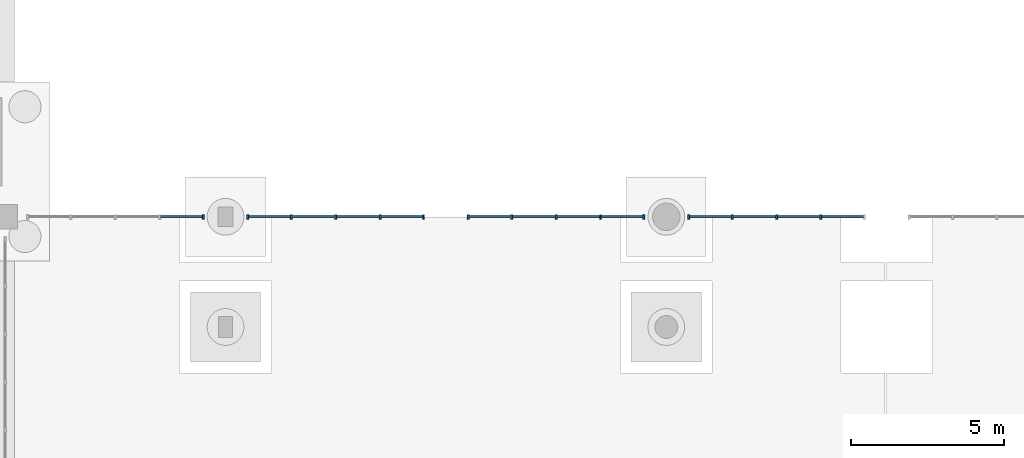
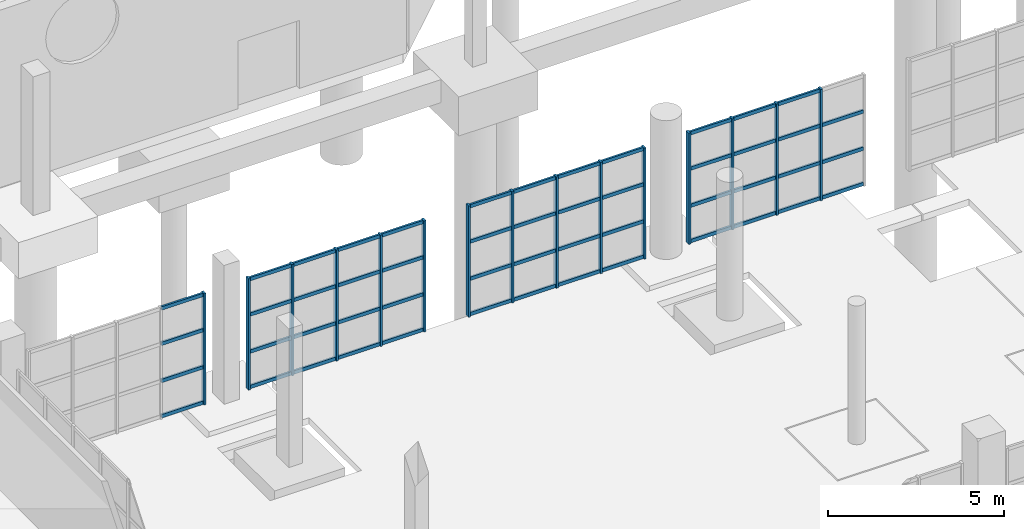
# One storey, part 112 of 285: 66 members, 4 elements without a shape of their own.
"""IFC4 building model written with IfcOpenShell, lengths in metres."""

from ifc_helpers import new_model, si_unit, direction, frame, origin, origin_2d, place, context, subcontext, project, spatial, rectangle, extrude, material, material_profile, profile_set, type_object, element, aggregate, save


model = new_model("IFC4")

# Units and contexts
model_context = context("Model", 3, precision=1e-05, world=origin(), true_north=direction((0.0, 1.0)))
body_context = subcontext(model_context, "Body", "Model", "MODEL_VIEW")
ifc_project = project(units=[si_unit("LENGTHUNIT", "METRE"), si_unit("AREAUNIT", "SQUARE_METRE"), si_unit("VOLUMEUNIT", "CUBIC_METRE"), si_unit("PLANEANGLEUNIT", "RADIAN"), si_unit("MASSUNIT", "GRAM", prefix="KILO")], contexts=[model_context])

# Site, building, storey
site_placement = place(None, origin())
site = spatial("IfcSite", under=ifc_project, at=site_placement, CompositionType="ELEMENT")
building_placement = place(site_placement, origin())
building = spatial("IfcBuilding", under=site, at=building_placement, Name="Solanera Park Tramway Depot", CompositionType="ELEMENT")
storey_placement = place(building_placement, origin())
storey = spatial("IfcBuildingStorey", under=building, at=storey_placement, Name="L00", CompositionType="ELEMENT", Elevation=0.0)

# Curtain wall, member
ifc_material_1 = material(Name="Bronze-anodised thermally broken aluminium curtain wall", Category="aluminium")
curtain_wall_type = type_object("IfcCurtainWallType", Name="Courtyard Cloister Unitised Curtain Wall", PredefinedType="NOTDEFINED", material=ifc_material_1)
curtain_wall_1_placement = place(storey_placement, origin())
curtain_wall_1 = element("IfcCurtainWall", 1, at=curtain_wall_1_placement, inside=storey, type_object=curtain_wall_type, Name="L00 Courtyard Cloister Unitised Curtain Wall #078", PredefinedType="NOTDEFINED")
ifc_material_2 = material(Name="Bronze-anodised structural aluminium 6063-T6", Category="aluminium")
ifc_material_profile_1 = material_profile(ifc_material_2, rectangle(XDim=0.06494140625, YDim=0.14990234375, at=origin_2d()), Name="Curtain Wall Mullion 65x150")
ifc_profile_set_1 = profile_set([ifc_material_profile_1], Name="Bronze-anodised structural aluminium 6063-T6")
member_type_1 = type_object("IfcMemberType", Name="Curtain Wall Mullion 65x150", PredefinedType="MULLION", material=ifc_profile_set_1)
member_1_placement = place(storey_placement, frame((128.867431640625, 43.199951171875, 0.0), z_axis=(0.0, 0.0, 1.0), x_axis=(1.0, 0.0, 0.0)))
member_1 = element("IfcMember", 2, at=member_1_placement, type_object=member_type_1, Name="CW-L00-078 Mullion 1", PredefinedType="MULLION", context=body_context, shape_type="SweptSolid", body=[
    extrude(rectangle(XDim=0.06494140625, YDim=0.14990234375, at=origin_2d()), origin(), (0.0, 0.0, 1.0), 3.85009765625),
])

# Curtain wall, members
curtain_wall_2_placement = place(storey_placement, origin())
curtain_wall_2 = element("IfcCurtainWall", 3, at=curtain_wall_2_placement, inside=storey, type_object=curtain_wall_type, Name="L00 Courtyard Cloister Unitised Curtain Wall #079", PredefinedType="NOTDEFINED")
member_2_placement = place(storey_placement, frame((136.0673828125, 43.199951171875, 0.0), z_axis=(0.0, 0.0, 1.0), x_axis=(1.0, 0.0, 0.0)))
member_2 = element("IfcMember", 4, at=member_2_placement, type_object=member_type_1, Name="CW-L00-079 Mullion 1", PredefinedType="MULLION", context=body_context, shape_type="SweptSolid", body=[
    extrude(rectangle(XDim=0.06494140625, YDim=0.14990234375, at=origin_2d()), origin(), (0.0, 0.0, 1.0), 3.85009765625),
])
member_3_placement = place(storey_placement, frame((134.64990234375, 43.199951171875, 0.0), z_axis=(0.0, 0.0, 1.0), x_axis=(1.0, 0.0, 0.0)))
member_3 = element("IfcMember", 5, at=member_3_placement, type_object=member_type_1, Name="CW-L00-079 Mullion 2", PredefinedType="MULLION", context=body_context, shape_type="SweptSolid", body=[
    extrude(rectangle(XDim=0.06494140625, YDim=0.14990234375, at=origin_2d()), origin(), (0.0, 0.0, 1.0), 3.85009765625),
])
member_4_placement = place(storey_placement, frame((133.199951171875, 43.199951171875, 0.0), z_axis=(0.0, 0.0, 1.0), x_axis=(1.0, 0.0, 0.0)))
member_4 = element("IfcMember", 6, at=member_4_placement, type_object=member_type_1, Name="CW-L00-079 Mullion 3", PredefinedType="MULLION", context=body_context, shape_type="SweptSolid", body=[
    extrude(rectangle(XDim=0.06494140625, YDim=0.14990234375, at=origin_2d()), origin(), (0.0, 0.0, 1.0), 3.85009765625),
])
member_5_placement = place(storey_placement, frame((131.75, 43.199951171875, 0.0), z_axis=(0.0, 0.0, 1.0), x_axis=(1.0, 0.0, 0.0)))
member_5 = element("IfcMember", 7, at=member_5_placement, type_object=member_type_1, Name="CW-L00-079 Mullion 4", PredefinedType="MULLION", context=body_context, shape_type="SweptSolid", body=[
    extrude(rectangle(XDim=0.06494140625, YDim=0.14990234375, at=origin_2d()), origin(), (0.0, 0.0, 1.0), 3.85009765625),
])
member_6_placement = place(storey_placement, frame((130.33251953125, 43.199951171875, 0.0), z_axis=(0.0, 0.0, 1.0), x_axis=(1.0, 0.0, 0.0)))
member_6 = element("IfcMember", 8, at=member_6_placement, type_object=member_type_1, Name="CW-L00-079 Mullion 5", PredefinedType="MULLION", context=body_context, shape_type="SweptSolid", body=[
    extrude(rectangle(XDim=0.06494140625, YDim=0.14990234375, at=origin_2d()), origin(), (0.0, 0.0, 1.0), 3.85009765625),
])

curtain_wall_3_placement = place(storey_placement, origin())
curtain_wall_3 = element("IfcCurtainWall", 9, at=curtain_wall_3_placement, inside=storey, type_object=curtain_wall_type, Name="L00 Courtyard Cloister Unitised Curtain Wall #080", PredefinedType="NOTDEFINED")
member_7_placement = place(storey_placement, frame((143.267578125, 43.199951171875, 0.0), z_axis=(0.0, 0.0, 1.0), x_axis=(1.0, 0.0, 0.0)))
member_7 = element("IfcMember", 10, at=member_7_placement, type_object=member_type_1, Name="CW-L00-080 Mullion 1", PredefinedType="MULLION", context=body_context, shape_type="SweptSolid", body=[
    extrude(rectangle(XDim=0.06494140625, YDim=0.14990234375, at=origin_2d()), origin(), (0.0, 0.0, 1.0), 3.85009765625),
])
member_8_placement = place(storey_placement, frame((141.85009765625, 43.199951171875, 0.0), z_axis=(0.0, 0.0, 1.0), x_axis=(1.0, 0.0, 0.0)))
member_8 = element("IfcMember", 11, at=member_8_placement, type_object=member_type_1, Name="CW-L00-080 Mullion 2", PredefinedType="MULLION", context=body_context, shape_type="SweptSolid", body=[
    extrude(rectangle(XDim=0.06494140625, YDim=0.14990234375, at=origin_2d()), origin(), (0.0, 0.0, 1.0), 3.85009765625),
])
member_9_placement = place(storey_placement, frame((140.39990234375, 43.199951171875, 0.0), z_axis=(0.0, 0.0, 1.0), x_axis=(1.0, 0.0, 0.0)))
member_9 = element("IfcMember", 12, at=member_9_placement, type_object=member_type_1, Name="CW-L00-080 Mullion 3", PredefinedType="MULLION", context=body_context, shape_type="SweptSolid", body=[
    extrude(rectangle(XDim=0.06494140625, YDim=0.14990234375, at=origin_2d()), origin(), (0.0, 0.0, 1.0), 3.85009765625),
])
member_10_placement = place(storey_placement, frame((138.949951171875, 43.199951171875, 0.0), z_axis=(0.0, 0.0, 1.0), x_axis=(1.0, 0.0, 0.0)))
member_10 = element("IfcMember", 13, at=member_10_placement, type_object=member_type_1, Name="CW-L00-080 Mullion 4", PredefinedType="MULLION", context=body_context, shape_type="SweptSolid", body=[
    extrude(rectangle(XDim=0.06494140625, YDim=0.14990234375, at=origin_2d()), origin(), (0.0, 0.0, 1.0), 3.85009765625),
])
member_11_placement = place(storey_placement, frame((137.532470703125, 43.199951171875, 0.0), z_axis=(0.0, 0.0, 1.0), x_axis=(1.0, 0.0, 0.0)))
member_11 = element("IfcMember", 14, at=member_11_placement, type_object=member_type_1, Name="CW-L00-080 Mullion 5", PredefinedType="MULLION", context=body_context, shape_type="SweptSolid", body=[
    extrude(rectangle(XDim=0.06494140625, YDim=0.14990234375, at=origin_2d()), origin(), (0.0, 0.0, 1.0), 3.85009765625),
])

curtain_wall_4_placement = place(storey_placement, origin())
curtain_wall_4 = element("IfcCurtainWall", 15, at=curtain_wall_4_placement, inside=storey, type_object=curtain_wall_type, Name="L00 Courtyard Cloister Unitised Curtain Wall #081", PredefinedType="NOTDEFINED")
member_12_placement = place(storey_placement, frame((149.050048828125, 43.199951171875, 0.0), z_axis=(0.0, 0.0, 1.0), x_axis=(1.0, 0.0, 0.0)))
member_12 = element("IfcMember", 16, at=member_12_placement, type_object=member_type_1, Name="CW-L00-081 Mullion 2", PredefinedType="MULLION", context=body_context, shape_type="SweptSolid", body=[
    extrude(rectangle(XDim=0.06494140625, YDim=0.14990234375, at=origin_2d()), origin(), (0.0, 0.0, 1.0), 3.85009765625),
])
member_13_placement = place(storey_placement, frame((147.60009765625, 43.199951171875, 0.0), z_axis=(0.0, 0.0, 1.0), x_axis=(1.0, 0.0, 0.0)))
member_13 = element("IfcMember", 17, at=member_13_placement, type_object=member_type_1, Name="CW-L00-081 Mullion 3", PredefinedType="MULLION", context=body_context, shape_type="SweptSolid", body=[
    extrude(rectangle(XDim=0.06494140625, YDim=0.14990234375, at=origin_2d()), origin(), (0.0, 0.0, 1.0), 3.85009765625),
])
member_14_placement = place(storey_placement, frame((146.14990234375, 43.199951171875, 0.0), z_axis=(0.0, 0.0, 1.0), x_axis=(1.0, 0.0, 0.0)))
member_14 = element("IfcMember", 18, at=member_14_placement, type_object=member_type_1, Name="CW-L00-081 Mullion 4", PredefinedType="MULLION", context=body_context, shape_type="SweptSolid", body=[
    extrude(rectangle(XDim=0.06494140625, YDim=0.14990234375, at=origin_2d()), origin(), (0.0, 0.0, 1.0), 3.85009765625),
])
member_15_placement = place(storey_placement, frame((144.732421875, 43.199951171875, 0.0), z_axis=(0.0, 0.0, 1.0), x_axis=(1.0, 0.0, 0.0)))
member_15 = element("IfcMember", 19, at=member_15_placement, type_object=member_type_1, Name="CW-L00-081 Mullion 5", PredefinedType="MULLION", context=body_context, shape_type="SweptSolid", body=[
    extrude(rectangle(XDim=0.06494140625, YDim=0.14990234375, at=origin_2d()), origin(), (0.0, 0.0, 1.0), 3.85009765625),
])

# Member
ifc_material_3 = material(Name="Bronze-anodised structural aluminium 6063-T6", Category="aluminium")
ifc_material_profile_2 = material_profile(ifc_material_3, rectangle(XDim=0.06494140625, YDim=0.1201171875, at=origin_2d()), Name="Curtain Wall Transom 65x120")
ifc_profile_set_2 = profile_set([ifc_material_profile_2], Name="Bronze-anodised structural aluminium 6063-T6")
member_type_2 = type_object("IfcMemberType", Name="Curtain Wall Transom 65x120", PredefinedType="USERDEFINED", material=ifc_profile_set_2)
member_16_placement = place(storey_placement, frame((128.839599609375, 43.199951171875, 0.06005859375), z_axis=(-1.0, 0.0, 0.0), x_axis=(0.0, -1.0, 0.0)))
member_16 = element("IfcMember", 20, at=member_16_placement, type_object=member_type_2, Name="CW-L00-078 Transom R1.C1", ObjectType="TRANSOM", PredefinedType="USERDEFINED", context=body_context, shape_type="SweptSolid", body=[
    extrude(rectangle(XDim=0.06494140625, YDim=0.1201171875, at=origin_2d()), origin(), (0.0, 0.0, 1.0), 1.361572265625),
])

member_17_placement = place(storey_placement, frame((128.839599609375, 43.199951171875, 1.283203125), z_axis=(-1.0, 0.0, 0.0), x_axis=(0.0, -1.0, 0.0)))
member_17 = element("IfcMember", 21, at=member_17_placement, type_object=member_type_2, Name="CW-L00-078 Transom R2.C1", ObjectType="TRANSOM", PredefinedType="USERDEFINED", context=body_context, shape_type="SweptSolid", body=[
    extrude(rectangle(XDim=0.06494140625, YDim=0.1201171875, at=origin_2d()), origin(), (0.0, 0.0, 1.0), 1.361572265625),
])

member_18_placement = place(storey_placement, frame((128.839599609375, 43.199951171875, 2.566650390625), z_axis=(-1.0, 0.0, 0.0), x_axis=(0.0, -1.0, 0.0)))
member_18 = element("IfcMember", 22, at=member_18_placement, type_object=member_type_2, Name="CW-L00-078 Transom R3.C1", ObjectType="TRANSOM", PredefinedType="USERDEFINED", context=body_context, shape_type="SweptSolid", body=[
    extrude(rectangle(XDim=0.06494140625, YDim=0.1201171875, at=origin_2d()), origin(), (0.0, 0.0, 1.0), 1.361572265625),
])

member_19_placement = place(storey_placement, frame((128.839599609375, 43.199951171875, 3.7900390625), z_axis=(-1.0, 0.0, 0.0), x_axis=(0.0, -1.0, 0.0)))
member_19 = element("IfcMember", 23, at=member_19_placement, type_object=member_type_2, Name="CW-L00-078 Transom R4.C1", ObjectType="TRANSOM", PredefinedType="USERDEFINED", context=body_context, shape_type="SweptSolid", body=[
    extrude(rectangle(XDim=0.06494140625, YDim=0.1201171875, at=origin_2d()), origin(), (0.0, 0.0, 1.0), 1.361572265625),
])

aggregate(curtain_wall_1, [member_1, member_16, member_17, member_18, member_19])

member_20_placement = place(storey_placement, frame((136.03955078125, 43.199951171875, 0.06005859375), z_axis=(-1.0, 0.0, 0.0), x_axis=(0.0, -1.0, 0.0)))
member_20 = element("IfcMember", 24, at=member_20_placement, type_object=member_type_2, Name="CW-L00-079 Transom R1.C1", ObjectType="TRANSOM", PredefinedType="USERDEFINED", context=body_context, shape_type="SweptSolid", body=[
    extrude(rectangle(XDim=0.06494140625, YDim=0.1201171875, at=origin_2d()), origin(), (0.0, 0.0, 1.0), 1.361572265625),
])

member_21_placement = place(storey_placement, frame((134.6220703125, 43.199951171875, 0.06005859375), z_axis=(-1.0, 0.0, 0.0), x_axis=(0.0, -1.0, 0.0)))
member_21 = element("IfcMember", 25, at=member_21_placement, type_object=member_type_2, Name="CW-L00-079 Transom R1.C2", ObjectType="TRANSOM", PredefinedType="USERDEFINED", context=body_context, shape_type="SweptSolid", body=[
    extrude(rectangle(XDim=0.06494140625, YDim=0.1201171875, at=origin_2d()), origin(), (0.0, 0.0, 1.0), 1.39404296875),
])

member_22_placement = place(storey_placement, frame((133.172119140625, 43.199951171875, 0.06005859375), z_axis=(-1.0, 0.0, 0.0), x_axis=(0.0, -1.0, 0.0)))
member_22 = element("IfcMember", 26, at=member_22_placement, type_object=member_type_2, Name="CW-L00-079 Transom R1.C3", ObjectType="TRANSOM", PredefinedType="USERDEFINED", context=body_context, shape_type="SweptSolid", body=[
    extrude(rectangle(XDim=0.06494140625, YDim=0.1201171875, at=origin_2d()), origin(), (0.0, 0.0, 1.0), 1.39404296875),
])

member_23_placement = place(storey_placement, frame((131.721923828125, 43.199951171875, 0.06005859375), z_axis=(-1.0, 0.0, 0.0), x_axis=(0.0, -1.0, 0.0)))
member_23 = element("IfcMember", 27, at=member_23_placement, type_object=member_type_2, Name="CW-L00-079 Transom R1.C4", ObjectType="TRANSOM", PredefinedType="USERDEFINED", context=body_context, shape_type="SweptSolid", body=[
    extrude(rectangle(XDim=0.06494140625, YDim=0.1201171875, at=origin_2d()), origin(), (0.0, 0.0, 1.0), 1.361328125),
])

member_24_placement = place(storey_placement, frame((136.03955078125, 43.199951171875, 1.283203125), z_axis=(-1.0, 0.0, 0.0), x_axis=(0.0, -1.0, 0.0)))
member_24 = element("IfcMember", 28, at=member_24_placement, type_object=member_type_2, Name="CW-L00-079 Transom R2.C1", ObjectType="TRANSOM", PredefinedType="USERDEFINED", context=body_context, shape_type="SweptSolid", body=[
    extrude(rectangle(XDim=0.06494140625, YDim=0.1201171875, at=origin_2d()), origin(), (0.0, 0.0, 1.0), 1.361572265625),
])

member_25_placement = place(storey_placement, frame((134.6220703125, 43.199951171875, 1.283203125), z_axis=(-1.0, 0.0, 0.0), x_axis=(0.0, -1.0, 0.0)))
member_25 = element("IfcMember", 29, at=member_25_placement, type_object=member_type_2, Name="CW-L00-079 Transom R2.C2", ObjectType="TRANSOM", PredefinedType="USERDEFINED", context=body_context, shape_type="SweptSolid", body=[
    extrude(rectangle(XDim=0.06494140625, YDim=0.1201171875, at=origin_2d()), origin(), (0.0, 0.0, 1.0), 1.39404296875),
])

member_26_placement = place(storey_placement, frame((133.172119140625, 43.199951171875, 1.283203125), z_axis=(-1.0, 0.0, 0.0), x_axis=(0.0, -1.0, 0.0)))
member_26 = element("IfcMember", 30, at=member_26_placement, type_object=member_type_2, Name="CW-L00-079 Transom R2.C3", ObjectType="TRANSOM", PredefinedType="USERDEFINED", context=body_context, shape_type="SweptSolid", body=[
    extrude(rectangle(XDim=0.06494140625, YDim=0.1201171875, at=origin_2d()), origin(), (0.0, 0.0, 1.0), 1.39404296875),
])

member_27_placement = place(storey_placement, frame((131.721923828125, 43.199951171875, 1.283203125), z_axis=(-1.0, 0.0, 0.0), x_axis=(0.0, -1.0, 0.0)))
member_27 = element("IfcMember", 31, at=member_27_placement, type_object=member_type_2, Name="CW-L00-079 Transom R2.C4", ObjectType="TRANSOM", PredefinedType="USERDEFINED", context=body_context, shape_type="SweptSolid", body=[
    extrude(rectangle(XDim=0.06494140625, YDim=0.1201171875, at=origin_2d()), origin(), (0.0, 0.0, 1.0), 1.361328125),
])

member_28_placement = place(storey_placement, frame((136.03955078125, 43.199951171875, 2.566650390625), z_axis=(-1.0, 0.0, 0.0), x_axis=(0.0, -1.0, 0.0)))
member_28 = element("IfcMember", 32, at=member_28_placement, type_object=member_type_2, Name="CW-L00-079 Transom R3.C1", ObjectType="TRANSOM", PredefinedType="USERDEFINED", context=body_context, shape_type="SweptSolid", body=[
    extrude(rectangle(XDim=0.06494140625, YDim=0.1201171875, at=origin_2d()), origin(), (0.0, 0.0, 1.0), 1.361572265625),
])

member_29_placement = place(storey_placement, frame((134.6220703125, 43.199951171875, 2.566650390625), z_axis=(-1.0, 0.0, 0.0), x_axis=(0.0, -1.0, 0.0)))
member_29 = element("IfcMember", 33, at=member_29_placement, type_object=member_type_2, Name="CW-L00-079 Transom R3.C2", ObjectType="TRANSOM", PredefinedType="USERDEFINED", context=body_context, shape_type="SweptSolid", body=[
    extrude(rectangle(XDim=0.06494140625, YDim=0.1201171875, at=origin_2d()), origin(), (0.0, 0.0, 1.0), 1.39404296875),
])

member_30_placement = place(storey_placement, frame((133.172119140625, 43.199951171875, 2.566650390625), z_axis=(-1.0, 0.0, 0.0), x_axis=(0.0, -1.0, 0.0)))
member_30 = element("IfcMember", 34, at=member_30_placement, type_object=member_type_2, Name="CW-L00-079 Transom R3.C3", ObjectType="TRANSOM", PredefinedType="USERDEFINED", context=body_context, shape_type="SweptSolid", body=[
    extrude(rectangle(XDim=0.06494140625, YDim=0.1201171875, at=origin_2d()), origin(), (0.0, 0.0, 1.0), 1.39404296875),
])

member_31_placement = place(storey_placement, frame((131.721923828125, 43.199951171875, 2.566650390625), z_axis=(-1.0, 0.0, 0.0), x_axis=(0.0, -1.0, 0.0)))
member_31 = element("IfcMember", 35, at=member_31_placement, type_object=member_type_2, Name="CW-L00-079 Transom R3.C4", ObjectType="TRANSOM", PredefinedType="USERDEFINED", context=body_context, shape_type="SweptSolid", body=[
    extrude(rectangle(XDim=0.06494140625, YDim=0.1201171875, at=origin_2d()), origin(), (0.0, 0.0, 1.0), 1.361328125),
])

member_32_placement = place(storey_placement, frame((136.03955078125, 43.199951171875, 3.7900390625), z_axis=(-1.0, 0.0, 0.0), x_axis=(0.0, -1.0, 0.0)))
member_32 = element("IfcMember", 36, at=member_32_placement, type_object=member_type_2, Name="CW-L00-079 Transom R4.C1", ObjectType="TRANSOM", PredefinedType="USERDEFINED", context=body_context, shape_type="SweptSolid", body=[
    extrude(rectangle(XDim=0.06494140625, YDim=0.1201171875, at=origin_2d()), origin(), (0.0, 0.0, 1.0), 1.361572265625),
])

member_33_placement = place(storey_placement, frame((134.6220703125, 43.199951171875, 3.7900390625), z_axis=(-1.0, 0.0, 0.0), x_axis=(0.0, -1.0, 0.0)))
member_33 = element("IfcMember", 37, at=member_33_placement, type_object=member_type_2, Name="CW-L00-079 Transom R4.C2", ObjectType="TRANSOM", PredefinedType="USERDEFINED", context=body_context, shape_type="SweptSolid", body=[
    extrude(rectangle(XDim=0.06494140625, YDim=0.1201171875, at=origin_2d()), origin(), (0.0, 0.0, 1.0), 1.39404296875),
])

member_34_placement = place(storey_placement, frame((133.172119140625, 43.199951171875, 3.7900390625), z_axis=(-1.0, 0.0, 0.0), x_axis=(0.0, -1.0, 0.0)))
member_34 = element("IfcMember", 38, at=member_34_placement, type_object=member_type_2, Name="CW-L00-079 Transom R4.C3", ObjectType="TRANSOM", PredefinedType="USERDEFINED", context=body_context, shape_type="SweptSolid", body=[
    extrude(rectangle(XDim=0.06494140625, YDim=0.1201171875, at=origin_2d()), origin(), (0.0, 0.0, 1.0), 1.39404296875),
])

member_35_placement = place(storey_placement, frame((131.721923828125, 43.199951171875, 3.7900390625), z_axis=(-1.0, 0.0, 0.0), x_axis=(0.0, -1.0, 0.0)))
member_35 = element("IfcMember", 39, at=member_35_placement, type_object=member_type_2, Name="CW-L00-079 Transom R4.C4", ObjectType="TRANSOM", PredefinedType="USERDEFINED", context=body_context, shape_type="SweptSolid", body=[
    extrude(rectangle(XDim=0.06494140625, YDim=0.1201171875, at=origin_2d()), origin(), (0.0, 0.0, 1.0), 1.361328125),
])

aggregate(curtain_wall_2, [member_2, member_3, member_4, member_5, member_6, member_20, member_21, member_22, member_23, member_24, member_25, member_26, member_27, member_28, member_29, member_30, member_31, member_32, member_33, member_34, member_35])

member_36_placement = place(storey_placement, frame((143.239501953125, 43.199951171875, 0.06005859375), z_axis=(-1.0, 0.0, 0.0), x_axis=(0.0, -1.0, 0.0)))
member_36 = element("IfcMember", 40, at=member_36_placement, type_object=member_type_2, Name="CW-L00-080 Transom R1.C1", ObjectType="TRANSOM", PredefinedType="USERDEFINED", context=body_context, shape_type="SweptSolid", body=[
    extrude(rectangle(XDim=0.06494140625, YDim=0.1201171875, at=origin_2d()), origin(), (0.0, 0.0, 1.0), 1.361572265625),
])

member_37_placement = place(storey_placement, frame((141.822021484375, 43.199951171875, 0.06005859375), z_axis=(-1.0, 0.0, 0.0), x_axis=(0.0, -1.0, 0.0)))
member_37 = element("IfcMember", 41, at=member_37_placement, type_object=member_type_2, Name="CW-L00-080 Transom R1.C2", ObjectType="TRANSOM", PredefinedType="USERDEFINED", context=body_context, shape_type="SweptSolid", body=[
    extrude(rectangle(XDim=0.06494140625, YDim=0.1201171875, at=origin_2d()), origin(), (0.0, 0.0, 1.0), 1.39404296875),
])

member_38_placement = place(storey_placement, frame((140.3720703125, 43.199951171875, 0.06005859375), z_axis=(-1.0, 0.0, 0.0), x_axis=(0.0, -1.0, 0.0)))
member_38 = element("IfcMember", 42, at=member_38_placement, type_object=member_type_2, Name="CW-L00-080 Transom R1.C3", ObjectType="TRANSOM", PredefinedType="USERDEFINED", context=body_context, shape_type="SweptSolid", body=[
    extrude(rectangle(XDim=0.06494140625, YDim=0.1201171875, at=origin_2d()), origin(), (0.0, 0.0, 1.0), 1.39404296875),
])

member_39_placement = place(storey_placement, frame((138.922119140625, 43.199951171875, 0.06005859375), z_axis=(-1.0, 0.0, 0.0), x_axis=(0.0, -1.0, 0.0)))
member_39 = element("IfcMember", 43, at=member_39_placement, type_object=member_type_2, Name="CW-L00-080 Transom R1.C4", ObjectType="TRANSOM", PredefinedType="USERDEFINED", context=body_context, shape_type="SweptSolid", body=[
    extrude(rectangle(XDim=0.06494140625, YDim=0.1201171875, at=origin_2d()), origin(), (0.0, 0.0, 1.0), 1.361572265625),
])

member_40_placement = place(storey_placement, frame((143.239501953125, 43.199951171875, 1.283203125), z_axis=(-1.0, 0.0, 0.0), x_axis=(0.0, -1.0, 0.0)))
member_40 = element("IfcMember", 44, at=member_40_placement, type_object=member_type_2, Name="CW-L00-080 Transom R2.C1", ObjectType="TRANSOM", PredefinedType="USERDEFINED", context=body_context, shape_type="SweptSolid", body=[
    extrude(rectangle(XDim=0.06494140625, YDim=0.1201171875, at=origin_2d()), origin(), (0.0, 0.0, 1.0), 1.361572265625),
])

member_41_placement = place(storey_placement, frame((141.822021484375, 43.199951171875, 1.283203125), z_axis=(-1.0, 0.0, 0.0), x_axis=(0.0, -1.0, 0.0)))
member_41 = element("IfcMember", 45, at=member_41_placement, type_object=member_type_2, Name="CW-L00-080 Transom R2.C2", ObjectType="TRANSOM", PredefinedType="USERDEFINED", context=body_context, shape_type="SweptSolid", body=[
    extrude(rectangle(XDim=0.06494140625, YDim=0.1201171875, at=origin_2d()), origin(), (0.0, 0.0, 1.0), 1.39404296875),
])

member_42_placement = place(storey_placement, frame((140.3720703125, 43.199951171875, 1.283203125), z_axis=(-1.0, 0.0, 0.0), x_axis=(0.0, -1.0, 0.0)))
member_42 = element("IfcMember", 46, at=member_42_placement, type_object=member_type_2, Name="CW-L00-080 Transom R2.C3", ObjectType="TRANSOM", PredefinedType="USERDEFINED", context=body_context, shape_type="SweptSolid", body=[
    extrude(rectangle(XDim=0.06494140625, YDim=0.1201171875, at=origin_2d()), origin(), (0.0, 0.0, 1.0), 1.39404296875),
])

member_43_placement = place(storey_placement, frame((138.922119140625, 43.199951171875, 1.283203125), z_axis=(-1.0, 0.0, 0.0), x_axis=(0.0, -1.0, 0.0)))
member_43 = element("IfcMember", 47, at=member_43_placement, type_object=member_type_2, Name="CW-L00-080 Transom R2.C4", ObjectType="TRANSOM", PredefinedType="USERDEFINED", context=body_context, shape_type="SweptSolid", body=[
    extrude(rectangle(XDim=0.06494140625, YDim=0.1201171875, at=origin_2d()), origin(), (0.0, 0.0, 1.0), 1.361572265625),
])

member_44_placement = place(storey_placement, frame((143.239501953125, 43.199951171875, 2.566650390625), z_axis=(-1.0, 0.0, 0.0), x_axis=(0.0, -1.0, 0.0)))
member_44 = element("IfcMember", 48, at=member_44_placement, type_object=member_type_2, Name="CW-L00-080 Transom R3.C1", ObjectType="TRANSOM", PredefinedType="USERDEFINED", context=body_context, shape_type="SweptSolid", body=[
    extrude(rectangle(XDim=0.06494140625, YDim=0.1201171875, at=origin_2d()), origin(), (0.0, 0.0, 1.0), 1.361572265625),
])

member_45_placement = place(storey_placement, frame((141.822021484375, 43.199951171875, 2.566650390625), z_axis=(-1.0, 0.0, 0.0), x_axis=(0.0, -1.0, 0.0)))
member_45 = element("IfcMember", 49, at=member_45_placement, type_object=member_type_2, Name="CW-L00-080 Transom R3.C2", ObjectType="TRANSOM", PredefinedType="USERDEFINED", context=body_context, shape_type="SweptSolid", body=[
    extrude(rectangle(XDim=0.06494140625, YDim=0.1201171875, at=origin_2d()), origin(), (0.0, 0.0, 1.0), 1.39404296875),
])

member_46_placement = place(storey_placement, frame((140.3720703125, 43.199951171875, 2.566650390625), z_axis=(-1.0, 0.0, 0.0), x_axis=(0.0, -1.0, 0.0)))
member_46 = element("IfcMember", 50, at=member_46_placement, type_object=member_type_2, Name="CW-L00-080 Transom R3.C3", ObjectType="TRANSOM", PredefinedType="USERDEFINED", context=body_context, shape_type="SweptSolid", body=[
    extrude(rectangle(XDim=0.06494140625, YDim=0.1201171875, at=origin_2d()), origin(), (0.0, 0.0, 1.0), 1.39404296875),
])

member_47_placement = place(storey_placement, frame((138.922119140625, 43.199951171875, 2.566650390625), z_axis=(-1.0, 0.0, 0.0), x_axis=(0.0, -1.0, 0.0)))
member_47 = element("IfcMember", 51, at=member_47_placement, type_object=member_type_2, Name="CW-L00-080 Transom R3.C4", ObjectType="TRANSOM", PredefinedType="USERDEFINED", context=body_context, shape_type="SweptSolid", body=[
    extrude(rectangle(XDim=0.06494140625, YDim=0.1201171875, at=origin_2d()), origin(), (0.0, 0.0, 1.0), 1.361572265625),
])

member_48_placement = place(storey_placement, frame((143.239501953125, 43.199951171875, 3.7900390625), z_axis=(-1.0, 0.0, 0.0), x_axis=(0.0, -1.0, 0.0)))
member_48 = element("IfcMember", 52, at=member_48_placement, type_object=member_type_2, Name="CW-L00-080 Transom R4.C1", ObjectType="TRANSOM", PredefinedType="USERDEFINED", context=body_context, shape_type="SweptSolid", body=[
    extrude(rectangle(XDim=0.06494140625, YDim=0.1201171875, at=origin_2d()), origin(), (0.0, 0.0, 1.0), 1.361572265625),
])

member_49_placement = place(storey_placement, frame((141.822021484375, 43.199951171875, 3.7900390625), z_axis=(-1.0, 0.0, 0.0), x_axis=(0.0, -1.0, 0.0)))
member_49 = element("IfcMember", 53, at=member_49_placement, type_object=member_type_2, Name="CW-L00-080 Transom R4.C2", ObjectType="TRANSOM", PredefinedType="USERDEFINED", context=body_context, shape_type="SweptSolid", body=[
    extrude(rectangle(XDim=0.06494140625, YDim=0.1201171875, at=origin_2d()), origin(), (0.0, 0.0, 1.0), 1.39404296875),
])

member_50_placement = place(storey_placement, frame((140.3720703125, 43.199951171875, 3.7900390625), z_axis=(-1.0, 0.0, 0.0), x_axis=(0.0, -1.0, 0.0)))
member_50 = element("IfcMember", 54, at=member_50_placement, type_object=member_type_2, Name="CW-L00-080 Transom R4.C3", ObjectType="TRANSOM", PredefinedType="USERDEFINED", context=body_context, shape_type="SweptSolid", body=[
    extrude(rectangle(XDim=0.06494140625, YDim=0.1201171875, at=origin_2d()), origin(), (0.0, 0.0, 1.0), 1.39404296875),
])

member_51_placement = place(storey_placement, frame((138.922119140625, 43.199951171875, 3.7900390625), z_axis=(-1.0, 0.0, 0.0), x_axis=(0.0, -1.0, 0.0)))
member_51 = element("IfcMember", 55, at=member_51_placement, type_object=member_type_2, Name="CW-L00-080 Transom R4.C4", ObjectType="TRANSOM", PredefinedType="USERDEFINED", context=body_context, shape_type="SweptSolid", body=[
    extrude(rectangle(XDim=0.06494140625, YDim=0.1201171875, at=origin_2d()), origin(), (0.0, 0.0, 1.0), 1.361572265625),
])

aggregate(curtain_wall_3, [member_7, member_8, member_9, member_10, member_11, member_36, member_37, member_38, member_39, member_40, member_41, member_42, member_43, member_44, member_45, member_46, member_47, member_48, member_49, member_50, member_51])

member_52_placement = place(storey_placement, frame((150.439453125, 43.199951171875, 0.06005859375), z_axis=(-1.0, 0.0, 0.0), x_axis=(0.0, -1.0, 0.0)))
member_52 = element("IfcMember", 56, at=member_52_placement, type_object=member_type_2, Name="CW-L00-081 Transom R1.C1", ObjectType="TRANSOM", PredefinedType="USERDEFINED", context=body_context, shape_type="SweptSolid", body=[
    extrude(rectangle(XDim=0.06494140625, YDim=0.1201171875, at=origin_2d()), origin(), (0.0, 0.0, 1.0), 1.361572265625),
])

member_53_placement = place(storey_placement, frame((149.02197265625, 43.199951171875, 0.06005859375), z_axis=(-1.0, 0.0, 0.0), x_axis=(0.0, -1.0, 0.0)))
member_53 = element("IfcMember", 57, at=member_53_placement, type_object=member_type_2, Name="CW-L00-081 Transom R1.C2", ObjectType="TRANSOM", PredefinedType="USERDEFINED", context=body_context, shape_type="SweptSolid", body=[
    extrude(rectangle(XDim=0.06494140625, YDim=0.1201171875, at=origin_2d()), origin(), (0.0, 0.0, 1.0), 1.39404296875),
])

member_54_placement = place(storey_placement, frame((147.572021484375, 43.199951171875, 0.06005859375), z_axis=(-1.0, 0.0, 0.0), x_axis=(0.0, -1.0, 0.0)))
member_54 = element("IfcMember", 58, at=member_54_placement, type_object=member_type_2, Name="CW-L00-081 Transom R1.C3", ObjectType="TRANSOM", PredefinedType="USERDEFINED", context=body_context, shape_type="SweptSolid", body=[
    extrude(rectangle(XDim=0.06494140625, YDim=0.1201171875, at=origin_2d()), origin(), (0.0, 0.0, 1.0), 1.39404296875),
])

member_55_placement = place(storey_placement, frame((146.1220703125, 43.199951171875, 0.06005859375), z_axis=(-1.0, 0.0, 0.0), x_axis=(0.0, -1.0, 0.0)))
member_55 = element("IfcMember", 59, at=member_55_placement, type_object=member_type_2, Name="CW-L00-081 Transom R1.C4", ObjectType="TRANSOM", PredefinedType="USERDEFINED", context=body_context, shape_type="SweptSolid", body=[
    extrude(rectangle(XDim=0.06494140625, YDim=0.1201171875, at=origin_2d()), origin(), (0.0, 0.0, 1.0), 1.361572265625),
])

member_56_placement = place(storey_placement, frame((150.439453125, 43.199951171875, 1.283203125), z_axis=(-1.0, 0.0, 0.0), x_axis=(0.0, -1.0, 0.0)))
member_56 = element("IfcMember", 60, at=member_56_placement, type_object=member_type_2, Name="CW-L00-081 Transom R2.C1", ObjectType="TRANSOM", PredefinedType="USERDEFINED", context=body_context, shape_type="SweptSolid", body=[
    extrude(rectangle(XDim=0.06494140625, YDim=0.1201171875, at=origin_2d()), origin(), (0.0, 0.0, 1.0), 1.361572265625),
])

member_57_placement = place(storey_placement, frame((149.02197265625, 43.199951171875, 1.283203125), z_axis=(-1.0, 0.0, 0.0), x_axis=(0.0, -1.0, 0.0)))
member_57 = element("IfcMember", 61, at=member_57_placement, type_object=member_type_2, Name="CW-L00-081 Transom R2.C2", ObjectType="TRANSOM", PredefinedType="USERDEFINED", context=body_context, shape_type="SweptSolid", body=[
    extrude(rectangle(XDim=0.06494140625, YDim=0.1201171875, at=origin_2d()), origin(), (0.0, 0.0, 1.0), 1.39404296875),
])

member_58_placement = place(storey_placement, frame((147.572021484375, 43.199951171875, 1.283203125), z_axis=(-1.0, 0.0, 0.0), x_axis=(0.0, -1.0, 0.0)))
member_58 = element("IfcMember", 62, at=member_58_placement, type_object=member_type_2, Name="CW-L00-081 Transom R2.C3", ObjectType="TRANSOM", PredefinedType="USERDEFINED", context=body_context, shape_type="SweptSolid", body=[
    extrude(rectangle(XDim=0.06494140625, YDim=0.1201171875, at=origin_2d()), origin(), (0.0, 0.0, 1.0), 1.39404296875),
])

member_59_placement = place(storey_placement, frame((146.1220703125, 43.199951171875, 1.283203125), z_axis=(-1.0, 0.0, 0.0), x_axis=(0.0, -1.0, 0.0)))
member_59 = element("IfcMember", 63, at=member_59_placement, type_object=member_type_2, Name="CW-L00-081 Transom R2.C4", ObjectType="TRANSOM", PredefinedType="USERDEFINED", context=body_context, shape_type="SweptSolid", body=[
    extrude(rectangle(XDim=0.06494140625, YDim=0.1201171875, at=origin_2d()), origin(), (0.0, 0.0, 1.0), 1.361572265625),
])

member_60_placement = place(storey_placement, frame((150.439453125, 43.199951171875, 2.566650390625), z_axis=(-1.0, 0.0, 0.0), x_axis=(0.0, -1.0, 0.0)))
member_60 = element("IfcMember", 64, at=member_60_placement, type_object=member_type_2, Name="CW-L00-081 Transom R3.C1", ObjectType="TRANSOM", PredefinedType="USERDEFINED", context=body_context, shape_type="SweptSolid", body=[
    extrude(rectangle(XDim=0.06494140625, YDim=0.1201171875, at=origin_2d()), origin(), (0.0, 0.0, 1.0), 1.361572265625),
])

member_61_placement = place(storey_placement, frame((149.02197265625, 43.199951171875, 2.566650390625), z_axis=(-1.0, 0.0, 0.0), x_axis=(0.0, -1.0, 0.0)))
member_61 = element("IfcMember", 65, at=member_61_placement, type_object=member_type_2, Name="CW-L00-081 Transom R3.C2", ObjectType="TRANSOM", PredefinedType="USERDEFINED", context=body_context, shape_type="SweptSolid", body=[
    extrude(rectangle(XDim=0.06494140625, YDim=0.1201171875, at=origin_2d()), origin(), (0.0, 0.0, 1.0), 1.39404296875),
])

member_62_placement = place(storey_placement, frame((147.572021484375, 43.199951171875, 2.566650390625), z_axis=(-1.0, 0.0, 0.0), x_axis=(0.0, -1.0, 0.0)))
member_62 = element("IfcMember", 66, at=member_62_placement, type_object=member_type_2, Name="CW-L00-081 Transom R3.C3", ObjectType="TRANSOM", PredefinedType="USERDEFINED", context=body_context, shape_type="SweptSolid", body=[
    extrude(rectangle(XDim=0.06494140625, YDim=0.1201171875, at=origin_2d()), origin(), (0.0, 0.0, 1.0), 1.39404296875),
])

member_63_placement = place(storey_placement, frame((146.1220703125, 43.199951171875, 2.566650390625), z_axis=(-1.0, 0.0, 0.0), x_axis=(0.0, -1.0, 0.0)))
member_63 = element("IfcMember", 67, at=member_63_placement, type_object=member_type_2, Name="CW-L00-081 Transom R3.C4", ObjectType="TRANSOM", PredefinedType="USERDEFINED", context=body_context, shape_type="SweptSolid", body=[
    extrude(rectangle(XDim=0.06494140625, YDim=0.1201171875, at=origin_2d()), origin(), (0.0, 0.0, 1.0), 1.361572265625),
])

member_64_placement = place(storey_placement, frame((149.02197265625, 43.199951171875, 3.7900390625), z_axis=(-1.0, 0.0, 0.0), x_axis=(0.0, -1.0, 0.0)))
member_64 = element("IfcMember", 68, at=member_64_placement, type_object=member_type_2, Name="CW-L00-081 Transom R4.C2", ObjectType="TRANSOM", PredefinedType="USERDEFINED", context=body_context, shape_type="SweptSolid", body=[
    extrude(rectangle(XDim=0.06494140625, YDim=0.1201171875, at=origin_2d()), origin(), (0.0, 0.0, 1.0), 1.39404296875),
])

member_65_placement = place(storey_placement, frame((147.572021484375, 43.199951171875, 3.7900390625), z_axis=(-1.0, 0.0, 0.0), x_axis=(0.0, -1.0, 0.0)))
member_65 = element("IfcMember", 69, at=member_65_placement, type_object=member_type_2, Name="CW-L00-081 Transom R4.C3", ObjectType="TRANSOM", PredefinedType="USERDEFINED", context=body_context, shape_type="SweptSolid", body=[
    extrude(rectangle(XDim=0.06494140625, YDim=0.1201171875, at=origin_2d()), origin(), (0.0, 0.0, 1.0), 1.39404296875),
])

member_66_placement = place(storey_placement, frame((146.1220703125, 43.199951171875, 3.7900390625), z_axis=(-1.0, 0.0, 0.0), x_axis=(0.0, -1.0, 0.0)))
member_66 = element("IfcMember", 70, at=member_66_placement, type_object=member_type_2, Name="CW-L00-081 Transom R4.C4", ObjectType="TRANSOM", PredefinedType="USERDEFINED", context=body_context, shape_type="SweptSolid", body=[
    extrude(rectangle(XDim=0.06494140625, YDim=0.1201171875, at=origin_2d()), origin(), (0.0, 0.0, 1.0), 1.361572265625),
])

aggregate(curtain_wall_4, [member_12, member_13, member_14, member_15, member_52, member_53, member_54, member_55, member_56, member_57, member_58, member_59, member_60, member_61, member_62, member_63, member_64, member_65, member_66])

save(model, "model.ifc")
